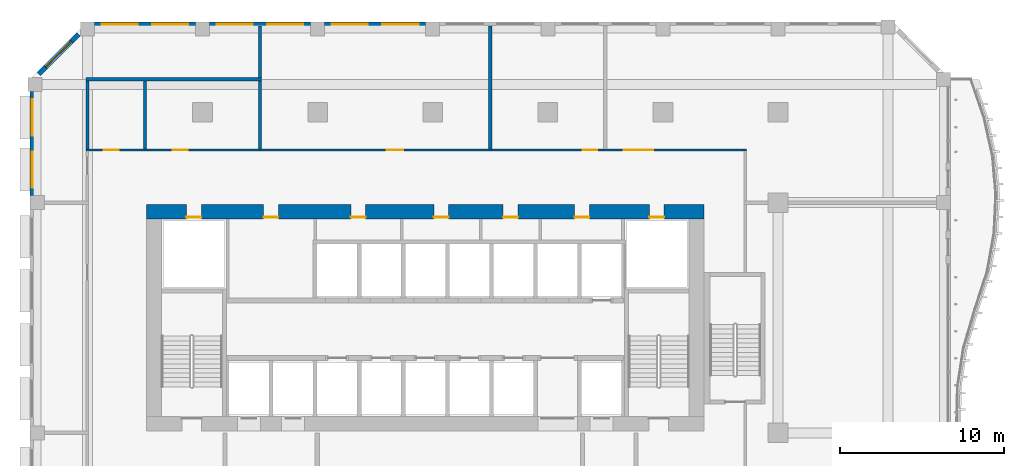
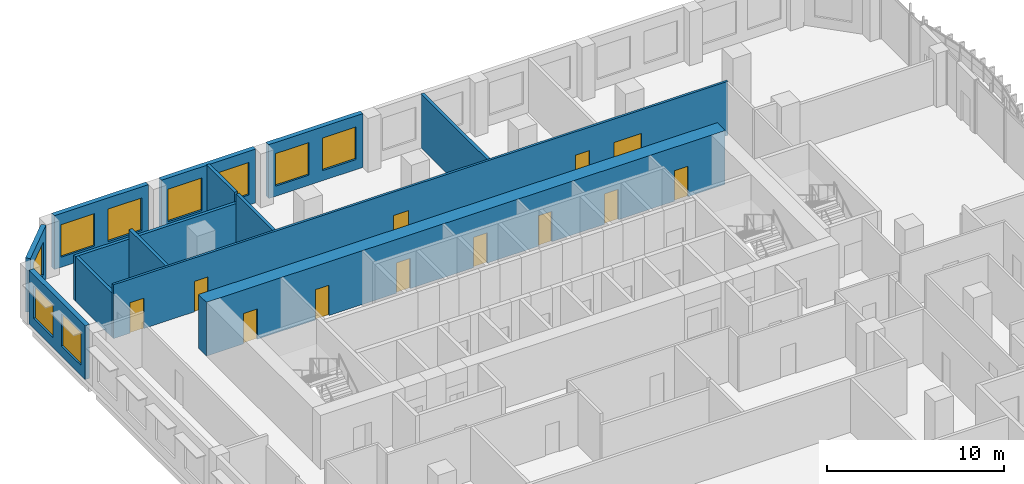
# One storey, part 14 of 25: 13 walls, 12 doors, 9 windows, 21 openings.
"""IFC4 building model written with IfcOpenShell, lengths in metres."""

from ifc_helpers import new_model, si_unit, direction, frame, frame_2d, origin, place, context, subcontext, project, spatial, rectangle, extrude, source, transform, mapped, material, layer, layer_set, type_object, element, fill, save


model = new_model("IFC4")

# Units and contexts
model_context = context("Model", 3, precision=1e-05, world=origin(), true_north=direction((0.0, 1.0)))
body_context = subcontext(model_context, "Body", "Model", "MODEL_VIEW")
ifc_project = project(units=[si_unit("LENGTHUNIT", "METRE"), si_unit("AREAUNIT", "SQUARE_METRE"), si_unit("VOLUMEUNIT", "CUBIC_METRE"), si_unit("PLANEANGLEUNIT", "RADIAN"), si_unit("MASSUNIT", "GRAM", prefix="KILO")], contexts=[model_context])

# Site, building, storey
site_placement = place(None, origin())
site = spatial("IfcSite", under=ifc_project, at=site_placement, CompositionType="ELEMENT")
building_placement = place(site_placement, origin())
building = spatial("IfcBuilding", under=site, at=building_placement, Name="Kilnfold Tower and Market Hall", CompositionType="ELEMENT")
storey_placement = place(building_placement, frame((0.0, 0.0, 120.60009765625)))
storey = spatial("IfcBuildingStorey", under=building, at=storey_placement, Name="L28", CompositionType="ELEMENT", Elevation=120.60009765625)

# Wall, openings, doors
ifc_material_1 = material(Name="Gypsum board on steel studs", Category="steel")
ifc_layer_1 = layer(ifc_material_1, 0.14990234375)
ifc_layer_set_1 = layer_set([ifc_layer_1], Name="Gypsum board on steel studs")
wall_type_1 = type_object("IfcWallType", Name="WALL CORRIDOR 150", PredefinedType="PARTITIONING", material=ifc_layer_set_1)
wall_1_placement = place(storey_placement, frame((-19.60009765625, 25.199951171875, 0.0), z_axis=(0.0, 0.0, 1.0), x_axis=(1.0, 0.0, 0.0)))
wall_1 = element("IfcWall", 1, at=wall_1_placement, inside=storey, type_object=wall_type_1, Name="Partition LY17.35", PredefinedType="PARTITIONING", context=body_context, shape_type="SweptSolid", body=[
    extrude(rectangle(XDim=40.175048828125, YDim=0.14990234375, at=frame_2d((20.08740234375, 0.0))), origin(), (0.0, 0.0, 1.0), 3.719970703125),
])
opening_1_placement = place(wall_1_placement, frame((1.10400390625, 0.0, 0.0)))
opening_1 = element("IfcOpeningElement", 2, at=opening_1_placement, cuts=wall_1, Name="Opening D2", PredefinedType="OPENING", context=body_context, shape_type="SweptSolid", body=[
    extrude(rectangle(XDim=0.89990234375, YDim=2.10009765625, at=frame_2d((0.449951171875, 1.050048828125))), frame((0.0, 0.0849609375, 0.0), z_axis=(0.0, -1.0, 0.0), x_axis=(1.0, 0.0, 0.0)), (0.0, 0.0, 1.0), 0.169921875),
])
opening_2_placement = place(wall_1_placement, frame((5.2958984375, 0.0, 0.0)))
opening_2 = element("IfcOpeningElement", 3, at=opening_2_placement, cuts=wall_1, Name="Opening D3", PredefinedType="OPENING", context=body_context, shape_type="SweptSolid", body=[
    extrude(rectangle(XDim=0.89990234375, YDim=2.10009765625, at=frame_2d((0.449951171875, 1.050048828125))), frame((0.0, 0.0849609375, 0.0), z_axis=(0.0, -1.0, 0.0), x_axis=(1.0, 0.0, 0.0)), (0.0, 0.0, 1.0), 0.169921875),
])
opening_3_placement = place(wall_1_placement, frame((18.302001953125, 0.0, 0.0)))
opening_3 = element("IfcOpeningElement", 4, at=opening_3_placement, cuts=wall_1, Name="Opening D1", PredefinedType="OPENING", context=body_context, shape_type="SweptSolid", body=[
    extrude(rectangle(XDim=1.0, YDim=2.10009765625, at=frame_2d((0.5, 1.050048828125))), frame((0.0, 0.0849609375, 0.0), z_axis=(0.0, -1.0, 0.0), x_axis=(1.0, 0.0, 0.0)), (0.0, 0.0, 1.0), 0.169921875),
])
opening_4_placement = place(wall_1_placement, frame((30.208984375, 0.0, 0.0)))
opening_4 = element("IfcOpeningElement", 5, at=opening_4_placement, cuts=wall_1, Name="Opening D2", PredefinedType="OPENING", context=body_context, shape_type="SweptSolid", body=[
    extrude(rectangle(XDim=0.89990234375, YDim=2.10009765625, at=frame_2d((0.449951171875, 1.050048828125))), frame((0.0, 0.0849609375, 0.0), z_axis=(0.0, -1.0, 0.0), x_axis=(1.0, 0.0, 0.0)), (0.0, 0.0, 1.0), 0.169921875),
])
opening_5_placement = place(wall_1_placement, frame((32.701904296875, 0.0, 0.0)))
opening_5 = element("IfcOpeningElement", 6, at=opening_5_placement, cuts=wall_1, Name="Opening D5", PredefinedType="OPENING", context=body_context, shape_type="SweptSolid", body=[
    extrude(rectangle(XDim=1.800048828125, YDim=2.10009765625, at=frame_2d((0.89990234375, 1.050048828125))), frame((0.0, 0.0849609375, 0.0), z_axis=(0.0, -1.0, 0.0), x_axis=(1.0, 0.0, 0.0)), (0.0, 0.0, 1.0), 0.169921875),
])
ifc_material_2 = material(Name="Timber veneer door leaf in steel frame", Category="steel")
door_type_1 = type_object("IfcDoorType", Name="DOOR DOUBLE 1800 X2100", OperationType="NOTDEFINED", PredefinedType="DOOR", material=ifc_material_2)
door_1_placement = place(opening_5_placement, origin())
door_1 = element("IfcDoor", 7, at=door_1_placement, inside=storey, type_object=door_type_1, Name="Door D5", OperationType="DOUBLE_DOOR_SINGLE_SWING", OverallHeight=2.10009765625, OverallWidth=1.800048828125, PredefinedType="DOOR", context=body_context, shape_type="SweptSolid", body=[
    extrude(rectangle(XDim=1.800048828125, YDim=2.10009765625, at=frame_2d((0.89990234375, 1.050048828125))), frame((0.0, 0.02490234375, 0.0), z_axis=(0.0, -1.0, 0.0), x_axis=(1.0, 0.0, 0.0)), (0.0, 0.0, 1.0), 0.050048828125),
])
fill(opening_5, door_1)
ifc_material_3 = material(Name="Timber veneer door leaf in steel frame", Category="steel")
door_type_2 = type_object("IfcDoorType", Name="DOOR ENTRY 1000 X2100", OperationType="NOTDEFINED", PredefinedType="DOOR", material=ifc_material_3)
door_2_placement = place(opening_3_placement, origin())
door_2 = element("IfcDoor", 8, at=door_2_placement, inside=storey, type_object=door_type_2, Name="Door D1", OperationType="SINGLE_SWING_RIGHT", OverallHeight=2.10009765625, OverallWidth=1.0, PredefinedType="DOOR", context=body_context, shape_type="SweptSolid", body=[
    extrude(rectangle(XDim=1.0, YDim=2.10009765625, at=frame_2d((0.5, 1.050048828125))), frame((0.0, 0.02490234375, 0.0), z_axis=(0.0, -1.0, 0.0), x_axis=(1.0, 0.0, 0.0)), (0.0, 0.0, 1.0), 0.050048828125),
])
fill(opening_3, door_2)
ifc_material_4 = material(Name="Timber veneer door leaf in steel frame", Category="steel")
door_type_3 = type_object("IfcDoorType", Name="DOOR ROOM 900 X2100", OperationType="NOTDEFINED", PredefinedType="DOOR", material=ifc_material_4)
door_3_placement = place(opening_1_placement, origin())
door_3 = element("IfcDoor", 9, at=door_3_placement, inside=storey, type_object=door_type_3, Name="Door D2", OperationType="SINGLE_SWING_LEFT", OverallHeight=2.10009765625, OverallWidth=0.89990234375, PredefinedType="DOOR", context=body_context, shape_type="SweptSolid", body=[
    extrude(rectangle(XDim=0.89990234375, YDim=2.10009765625, at=frame_2d((0.449951171875, 1.050048828125))), frame((0.0, 0.02490234375, 0.0), z_axis=(0.0, -1.0, 0.0), x_axis=(1.0, 0.0, 0.0)), (0.0, 0.0, 1.0), 0.050048828125),
])
fill(opening_1, door_3)
door_4_placement = place(opening_4_placement, origin())
door_4 = element("IfcDoor", 10, at=door_4_placement, inside=storey, type_object=door_type_3, Name="Door D2", OperationType="SINGLE_SWING_RIGHT", OverallHeight=2.10009765625, OverallWidth=0.89990234375, PredefinedType="DOOR", context=body_context, shape_type="SweptSolid", body=[
    extrude(rectangle(XDim=0.89990234375, YDim=2.10009765625, at=frame_2d((0.449951171875, 1.050048828125))), frame((0.0, 0.02490234375, 0.0), z_axis=(0.0, -1.0, 0.0), x_axis=(1.0, 0.0, 0.0)), (0.0, 0.0, 1.0), 0.050048828125),
])
fill(opening_4, door_4)
ifc_material_5 = material(Name="Timber veneer door leaf in steel frame", Category="steel")
door_type_4 = type_object("IfcDoorType", Name="DOOR WC 900 X2100", OperationType="NOTDEFINED", PredefinedType="DOOR", material=ifc_material_5)
door_5_placement = place(opening_2_placement, origin())
door_5 = element("IfcDoor", 11, at=door_5_placement, inside=storey, type_object=door_type_4, Name="Door D3", OperationType="SINGLE_SWING_LEFT", OverallHeight=2.10009765625, OverallWidth=0.89990234375, PredefinedType="DOOR", context=body_context, shape_type="SweptSolid", body=[
    extrude(rectangle(XDim=0.89990234375, YDim=2.10009765625, at=frame_2d((0.449951171875, 1.050048828125))), frame((0.0, 0.02490234375, 0.0), z_axis=(0.0, -1.0, 0.0), x_axis=(1.0, 0.0, 0.0)), (0.0, 0.0, 1.0), 0.050048828125),
])
fill(opening_2, door_5)

# Walls
ifc_material_6 = material(Name="Gypsum board on steel studs", Category="steel")
ifc_layer_2 = layer(ifc_material_6, 0.199951171875)
ifc_layer_set_2 = layer_set([ifc_layer_2], Name="Gypsum board on steel studs")
wall_type_2 = type_object("IfcWallType", Name="WALL PARTY 200", PredefinedType="PARTITIONING", material=ifc_layer_set_2)
wall_2_placement = place(storey_placement, frame((5.0, 25.27587890625, 0.0), z_axis=(0.0, 0.0, 1.0), x_axis=(0.0, 1.0, 0.0)))
element("IfcWall", 12, at=wall_2_placement, inside=storey, type_object=wall_type_2, Name="Partition LY17.69", PredefinedType="PARTITIONING", context=body_context, shape_type="SweptSolid", body=[
    extrude(rectangle(XDim=7.47412109375, YDim=0.199951171875, at=frame_2d((3.737060546875, 0.0))), origin(), (0.0, 0.0, 1.0), 3.719970703125),
])
wall_3_placement = place(storey_placement, frame((-9.0, 25.27587890625, 0.0), z_axis=(0.0, 0.0, 1.0), x_axis=(0.0, 1.0, 0.0)))
element("IfcWall", 13, at=wall_3_placement, inside=storey, type_object=wall_type_2, Name="Partition LY17.70", PredefinedType="PARTITIONING", context=body_context, shape_type="SweptSolid", body=[
    extrude(rectangle(XDim=4.134033203125, YDim=0.199951171875, at=frame_2d((2.06689453125, 0.0))), origin(), (0.0, 0.0, 1.0), 3.719970703125),
])
wall_4_placement = place(storey_placement, frame((-9.0, 29.590087890625, 0.0), z_axis=(0.0, 0.0, 1.0), x_axis=(0.0, 1.0, 0.0)))
element("IfcWall", 14, at=wall_4_placement, inside=storey, type_object=wall_type_2, Name="Partition LY17.71", PredefinedType="PARTITIONING", context=body_context, shape_type="SweptSolid", body=[
    extrude(rectangle(XDim=3.159912109375, YDim=0.199951171875, at=frame_2d((1.580078125, 0.0))), origin(), (0.0, 0.0, 1.0), 3.719970703125),
])
wall_5_placement = place(storey_placement, frame((-16.0, 29.39990234375, 0.0), z_axis=(0.0, 0.0, 1.0), x_axis=(0.0, -1.0, 0.0)))
element("IfcWall", 15, at=wall_5_placement, inside=storey, type_object=wall_type_2, Name="Partition LY17.72", PredefinedType="PARTITIONING", context=body_context, shape_type="SweptSolid", body=[
    extrude(rectangle(XDim=4.1240234375, YDim=0.199951171875, at=frame_2d((2.06201171875, 0.0))), origin(), (0.0, 0.0, 1.0), 3.719970703125),
])
wall_6_placement = place(storey_placement, frame((-19.60009765625, 29.5, 0.0), z_axis=(0.0, 0.0, 1.0), x_axis=(1.0, 0.0, 0.0)))
element("IfcWall", 16, at=wall_6_placement, inside=storey, type_object=wall_type_2, Name="Partition LY17.73", PredefinedType="PARTITIONING", context=body_context, shape_type="SweptSolid", body=[
    extrude(rectangle(XDim=10.7001953125, YDim=0.199951171875, at=frame_2d((5.35009765625, 0.0))), origin(), (0.0, 0.0, 1.0), 3.06982421875),
])
wall_7_placement = place(storey_placement, frame((-19.5, 29.39990234375, 0.0), z_axis=(0.0, 0.0, 1.0), x_axis=(0.0, -1.0, 0.0)))
element("IfcWall", 17, at=wall_7_placement, inside=storey, type_object=wall_type_2, Name="Partition LY17.74", PredefinedType="PARTITIONING", context=body_context, shape_type="SweptSolid", body=[
    extrude(rectangle(XDim=4.1240234375, YDim=0.199951171875, at=frame_2d((2.06201171875, 0.0))), origin(), (0.0, 0.0, 1.0), 3.06982421875),
])

# Wall, openings, doors
ifc_material_7 = material(Name="Concrete C70", Category="concrete")
ifc_layer_3 = layer(ifc_material_7, 0.89990234375)
ifc_layer_set_3 = layer_set([ifc_layer_3], Name="Concrete C70")
wall_type_3 = type_object("IfcWallType", Name="CORE WALL 900 C70", PredefinedType="SHEAR", material=ifc_layer_set_3)
shared_shape_1 = source(origin(), body_context, "Body", "SweptSolid", [
    extrude(rectangle(XDim=33.89990234375, YDim=0.89990234375, at=frame_2d((16.949951171875, 0.0))), origin(), (0.0, 0.0, 1.0), 3.719970703125),
])
wall_8_placement = place(storey_placement, frame((-15.89990234375, 21.449951171875, 0.0), z_axis=(0.0, 0.0, 1.0), x_axis=(1.0, 0.0, 0.0)))
wall_8 = element("IfcWall", 18, at=wall_8_placement, inside=storey, type_object=wall_type_3, Name="Core outer wall north", PredefinedType="SHEAR", context=body_context, shape_type="MappedRepresentation", body=[
    mapped(shared_shape_1, transform((0.0, 0.0, 0.0))),
])
opening_6_placement = place(wall_8_placement, frame((7.1201171875, 0.0, 0.0)))
opening_6 = element("IfcOpeningElement", 19, at=opening_6_placement, cuts=wall_8, Name="Opening KD1", PredefinedType="OPENING", context=body_context, shape_type="SweptSolid", body=[
    extrude(rectangle(XDim=0.89990234375, YDim=2.10009765625, at=frame_2d((0.449951171875, 1.050048828125))), frame((0.0, 0.4599609375, 0.0), z_axis=(0.0, -1.0, 0.0), x_axis=(1.0, 0.0, 0.0)), (0.0, 0.0, 1.0), 0.919921875),
])
opening_7_placement = place(wall_8_placement, frame((12.426513671875, 0.0, 0.0)))
opening_7 = element("IfcOpeningElement", 20, at=opening_7_placement, cuts=wall_8, Name="Opening KD1", PredefinedType="OPENING", context=body_context, shape_type="SweptSolid", body=[
    extrude(rectangle(XDim=0.89990234375, YDim=2.10009765625, at=frame_2d((0.449951171875, 1.050048828125))), frame((0.0, 0.4599609375, 0.0), z_axis=(0.0, -1.0, 0.0), x_axis=(1.0, 0.0, 0.0)), (0.0, 0.0, 1.0), 0.919921875),
])
opening_8_placement = place(wall_8_placement, frame((17.46484375, 0.0, 0.0)))
opening_8 = element("IfcOpeningElement", 21, at=opening_8_placement, cuts=wall_8, Name="Opening KD1", PredefinedType="OPENING", context=body_context, shape_type="SweptSolid", body=[
    extrude(rectangle(XDim=0.89990234375, YDim=2.10009765625, at=frame_2d((0.449951171875, 1.050048828125))), frame((0.0, 0.4599609375, 0.0), z_axis=(0.0, -1.0, 0.0), x_axis=(1.0, 0.0, 0.0)), (0.0, 0.0, 1.0), 0.919921875),
])
opening_9_placement = place(wall_8_placement, frame((21.685791015625, 0.0, 0.0)))
opening_9 = element("IfcOpeningElement", 22, at=opening_9_placement, cuts=wall_8, Name="Opening KD1", PredefinedType="OPENING", context=body_context, shape_type="SweptSolid", body=[
    extrude(rectangle(XDim=0.89990234375, YDim=2.10009765625, at=frame_2d((0.449951171875, 1.050048828125))), frame((0.0, 0.4599609375, 0.0), z_axis=(0.0, -1.0, 0.0), x_axis=(1.0, 0.0, 0.0)), (0.0, 0.0, 1.0), 0.919921875),
])
opening_10_placement = place(wall_8_placement, frame((26.02734375, 0.0, 0.0)))
opening_10 = element("IfcOpeningElement", 23, at=opening_10_placement, cuts=wall_8, Name="Opening KD1", PredefinedType="OPENING", context=body_context, shape_type="SweptSolid", body=[
    extrude(rectangle(XDim=0.89990234375, YDim=2.10009765625, at=frame_2d((0.449951171875, 1.050048828125))), frame((0.0, 0.4599609375, 0.0), z_axis=(0.0, -1.0, 0.0), x_axis=(1.0, 0.0, 0.0)), (0.0, 0.0, 1.0), 0.919921875),
])
opening_11_placement = place(wall_8_placement, frame((2.425048828125, 0.0, 0.0)))
opening_11 = element("IfcOpeningElement", 24, at=opening_11_placement, cuts=wall_8, Name="Opening KD1", PredefinedType="OPENING", context=body_context, shape_type="SweptSolid", body=[
    extrude(rectangle(XDim=0.89990234375, YDim=2.10009765625, at=frame_2d((0.449951171875, 1.050048828125))), frame((0.0, 0.4599609375, 0.0), z_axis=(0.0, -1.0, 0.0), x_axis=(1.0, 0.0, 0.0)), (0.0, 0.0, 1.0), 0.919921875),
])
opening_12_placement = place(wall_8_placement, frame((30.574951171875, 0.0, 0.0)))
opening_12 = element("IfcOpeningElement", 25, at=opening_12_placement, cuts=wall_8, Name="Opening KD1", PredefinedType="OPENING", context=body_context, shape_type="SweptSolid", body=[
    extrude(rectangle(XDim=0.89990234375, YDim=2.10009765625, at=frame_2d((0.449951171875, 1.050048828125))), frame((0.0, 0.4599609375, 0.0), z_axis=(0.0, -1.0, 0.0), x_axis=(1.0, 0.0, 0.0)), (0.0, 0.0, 1.0), 0.919921875),
])
ifc_material_8 = material(Name="Steel door set with fire-resisting leaf", Category="steel")
door_type_5 = type_object("IfcDoorType", Name="SERVICE DOOR 900X2100", OperationType="NOTDEFINED", PredefinedType="DOOR", material=ifc_material_8)
door_6_placement = place(opening_6_placement, origin())
door_6 = element("IfcDoor", 26, at=door_6_placement, inside=storey, type_object=door_type_5, Name="Core service door", OperationType="SINGLE_SWING_RIGHT", OverallHeight=2.10009765625, OverallWidth=0.89990234375, PredefinedType="DOOR", context=body_context, shape_type="SweptSolid", body=[
    extrude(rectangle(XDim=0.89990234375, YDim=2.10009765625, at=frame_2d((0.449951171875, 1.050048828125))), frame((0.0, -0.30517578125, 0.0), z_axis=(0.0, -1.0, 0.0), x_axis=(1.0, 0.0, 0.0)), (0.0, 0.0, 1.0), 0.050048828125),
])
fill(opening_6, door_6)
door_7_placement = place(opening_7_placement, origin())
door_7 = element("IfcDoor", 27, at=door_7_placement, inside=storey, type_object=door_type_5, Name="Core service door", OperationType="SINGLE_SWING_LEFT", OverallHeight=2.10009765625, OverallWidth=0.89990234375, PredefinedType="DOOR", context=body_context, shape_type="SweptSolid", body=[
    extrude(rectangle(XDim=0.89990234375, YDim=2.10009765625, at=frame_2d((0.449951171875, 1.050048828125))), frame((0.0, -0.30517578125, 0.0), z_axis=(0.0, -1.0, 0.0), x_axis=(1.0, 0.0, 0.0)), (0.0, 0.0, 1.0), 0.050048828125),
])
fill(opening_7, door_7)
door_8_placement = place(opening_8_placement, origin())
door_8 = element("IfcDoor", 28, at=door_8_placement, inside=storey, type_object=door_type_5, Name="Core service door", OperationType="SINGLE_SWING_RIGHT", OverallHeight=2.10009765625, OverallWidth=0.89990234375, PredefinedType="DOOR", context=body_context, shape_type="SweptSolid", body=[
    extrude(rectangle(XDim=0.89990234375, YDim=2.10009765625, at=frame_2d((0.449951171875, 1.050048828125))), frame((0.0, -0.30517578125, 0.0), z_axis=(0.0, -1.0, 0.0), x_axis=(1.0, 0.0, 0.0)), (0.0, 0.0, 1.0), 0.050048828125),
])
fill(opening_8, door_8)
door_9_placement = place(opening_9_placement, origin())
door_9 = element("IfcDoor", 29, at=door_9_placement, inside=storey, type_object=door_type_5, Name="Core service door", OperationType="SINGLE_SWING_LEFT", OverallHeight=2.10009765625, OverallWidth=0.89990234375, PredefinedType="DOOR", context=body_context, shape_type="SweptSolid", body=[
    extrude(rectangle(XDim=0.89990234375, YDim=2.10009765625, at=frame_2d((0.449951171875, 1.050048828125))), frame((0.0, -0.30517578125, 0.0), z_axis=(0.0, -1.0, 0.0), x_axis=(1.0, 0.0, 0.0)), (0.0, 0.0, 1.0), 0.050048828125),
])
fill(opening_9, door_9)
door_10_placement = place(opening_10_placement, origin())
door_10 = element("IfcDoor", 30, at=door_10_placement, inside=storey, type_object=door_type_5, Name="Core service door", OperationType="SINGLE_SWING_RIGHT", OverallHeight=2.10009765625, OverallWidth=0.89990234375, PredefinedType="DOOR", context=body_context, shape_type="SweptSolid", body=[
    extrude(rectangle(XDim=0.89990234375, YDim=2.10009765625, at=frame_2d((0.449951171875, 1.050048828125))), frame((0.0, -0.30517578125, 0.0), z_axis=(0.0, -1.0, 0.0), x_axis=(1.0, 0.0, 0.0)), (0.0, 0.0, 1.0), 0.050048828125),
])
fill(opening_10, door_10)
door_11_placement = place(opening_11_placement, origin())
door_11 = element("IfcDoor", 31, at=door_11_placement, inside=storey, type_object=door_type_5, Name="Electrical riser access door", OperationType="SINGLE_SWING_LEFT", OverallHeight=2.10009765625, OverallWidth=0.89990234375, PredefinedType="DOOR", context=body_context, shape_type="SweptSolid", body=[
    extrude(rectangle(XDim=0.89990234375, YDim=2.10009765625, at=frame_2d((0.449951171875, 1.050048828125))), frame((0.0, -0.30517578125, 0.0), z_axis=(0.0, -1.0, 0.0), x_axis=(1.0, 0.0, 0.0)), (0.0, 0.0, 1.0), 0.050048828125),
])
fill(opening_11, door_11)
door_12_placement = place(opening_12_placement, origin())
door_12 = element("IfcDoor", 32, at=door_12_placement, inside=storey, type_object=door_type_5, Name="Mechanical riser access door", OperationType="SINGLE_SWING_RIGHT", OverallHeight=2.10009765625, OverallWidth=0.89990234375, PredefinedType="DOOR", context=body_context, shape_type="SweptSolid", body=[
    extrude(rectangle(XDim=0.89990234375, YDim=2.10009765625, at=frame_2d((0.449951171875, 1.050048828125))), frame((0.0, -0.30517578125, 0.0), z_axis=(0.0, -1.0, 0.0), x_axis=(1.0, 0.0, 0.0)), (0.0, 0.0, 1.0), 0.050048828125),
])
fill(opening_12, door_12)

# Wall, opening, window
ifc_material_9 = material(Name="Precast concrete C50/60", Category="concrete")
ifc_layer_4 = layer(ifc_material_9, 0.300048828125)
ifc_layer_set_4 = layer_set([ifc_layer_4], Name="Precast concrete C50/60")
wall_type_4 = type_object("IfcWallType", Name="PRECAST WALL 300", PredefinedType="SOLIDWALL", material=ifc_layer_set_4)
shared_shape_2 = source(origin(), body_context, "Body", "SweptSolid", [
    extrude(rectangle(XDim=3.429443359375, YDim=0.300048828125, at=frame_2d((1.71484375, 0.0))), origin(), (0.0, 0.0, 1.0), 3.719970703125),
])
wall_9_placement = place(storey_placement, frame((-20.0439453125, 32.243896484375, 0.0), z_axis=(0.0, 0.0, 1.0), x_axis=(-0.707106781187, -0.707106781187, 0.0)))
wall_9 = element("IfcWall", 33, at=wall_9_placement, inside=storey, type_object=wall_type_4, Name="External wall L28 NW", PredefinedType="SOLIDWALL", context=body_context, shape_type="MappedRepresentation", body=[
    mapped(shared_shape_2, transform((0.0, 0.0, 0.0))),
])
opening_13_placement = place(wall_9_placement, frame((0.61474609375, 0.0, 0.699951171875)))
opening_13 = element("IfcOpeningElement", 34, at=opening_13_placement, cuts=wall_9, Name="Opening W1", PredefinedType="OPENING", context=body_context, shape_type="SweptSolid", body=[
    extrude(rectangle(XDim=2.199951171875, YDim=2.25, at=frame_2d((1.10009765625, 1.125))), frame((0.0, 0.16015625, 0.0), z_axis=(0.0, -1.0, 0.0), x_axis=(1.0, 0.0, 0.0)), (0.0, 0.0, 1.0), 0.320068359375),
])
ifc_material_10 = material(Name="Aluminium frame and double glazing", Category="aluminium")
window_type = type_object("IfcWindowType", Name="WINDOW W1 2200X2250", PartitioningType="SINGLE_PANEL", PredefinedType="WINDOW", material=ifc_material_10)
window_1_placement = place(opening_13_placement, origin())
window_1 = element("IfcWindow", 35, at=window_1_placement, inside=storey, type_object=window_type, Name="Window W1 L28 NW-1", OverallHeight=2.25, OverallWidth=2.199951171875, PartitioningType="SINGLE_PANEL", PredefinedType="WINDOW", context=body_context, shape_type="SweptSolid", body=[
    extrude(rectangle(XDim=2.199951171875, YDim=2.25, at=frame_2d((1.10009765625, 1.125))), frame((0.0, 0.030029296875, 0.0), z_axis=(0.0, -1.0, 0.0), x_axis=(1.0, 0.0, 0.0)), (0.0, 0.0, 1.0), 0.06005859375),
])
fill(opening_13, window_1)

# Wall, openings, windows
shared_shape_3 = source(origin(), body_context, "Body", "SweptSolid", [
    extrude(rectangle(XDim=6.14990234375, YDim=0.300048828125, at=frame_2d((3.074951171875, 0.0))), origin(), (0.0, 0.0, 1.0), 3.719970703125),
])
wall_10_placement = place(storey_placement, frame((1.074951171875, 32.85009765625, 0.0), z_axis=(0.0, 0.0, 1.0), x_axis=(-1.0, 0.0, 0.0)))
wall_10 = element("IfcWall", 36, at=wall_10_placement, inside=storey, type_object=wall_type_4, Name="External wall L28 N", PredefinedType="SOLIDWALL", context=body_context, shape_type="MappedRepresentation", body=[
    mapped(shared_shape_3, transform((0.0, 0.0, 0.0))),
])
opening_14_placement = place(wall_10_placement, frame((0.4375, 0.0, 0.699951171875)))
opening_14 = element("IfcOpeningElement", 37, at=opening_14_placement, cuts=wall_10, Name="Opening W1", PredefinedType="OPENING", context=body_context, shape_type="SweptSolid", body=[
    extrude(rectangle(XDim=2.199951171875, YDim=2.25, at=frame_2d((1.10009765625, 1.125))), frame((0.0, 0.16015625, 0.0), z_axis=(0.0, -1.0, 0.0), x_axis=(1.0, 0.0, 0.0)), (0.0, 0.0, 1.0), 0.320068359375),
])
opening_15_placement = place(wall_10_placement, frame((3.512451171875, 0.0, 0.699951171875)))
opening_15 = element("IfcOpeningElement", 38, at=opening_15_placement, cuts=wall_10, Name="Opening W1", PredefinedType="OPENING", context=body_context, shape_type="SweptSolid", body=[
    extrude(rectangle(XDim=2.199951171875, YDim=2.25, at=frame_2d((1.10009765625, 1.125))), frame((0.0, 0.16015625, 0.0), z_axis=(0.0, -1.0, 0.0), x_axis=(1.0, 0.0, 0.0)), (0.0, 0.0, 1.0), 0.320068359375),
])
window_2_placement = place(opening_14_placement, origin())
window_2 = element("IfcWindow", 39, at=window_2_placement, inside=storey, type_object=window_type, Name="Window W1 L28 N-1", OverallHeight=2.25, OverallWidth=2.199951171875, PartitioningType="SINGLE_PANEL", PredefinedType="WINDOW", context=body_context, shape_type="SweptSolid", body=[
    extrude(rectangle(XDim=2.199951171875, YDim=2.25, at=frame_2d((1.10009765625, 1.125))), frame((0.0, 0.030029296875, 0.0), z_axis=(0.0, -1.0, 0.0), x_axis=(1.0, 0.0, 0.0)), (0.0, 0.0, 1.0), 0.06005859375),
])
fill(opening_14, window_2)
window_3_placement = place(opening_15_placement, origin())
window_3 = element("IfcWindow", 40, at=window_3_placement, inside=storey, type_object=window_type, Name="Window W1 L28 N-2", OverallHeight=2.25, OverallWidth=2.199951171875, PartitioningType="SINGLE_PANEL", PredefinedType="WINDOW", context=body_context, shape_type="SweptSolid", body=[
    extrude(rectangle(XDim=2.199951171875, YDim=2.25, at=frame_2d((1.10009765625, 1.125))), frame((0.0, 0.030029296875, 0.0), z_axis=(0.0, -1.0, 0.0), x_axis=(1.0, 0.0, 0.0)), (0.0, 0.0, 1.0), 0.06005859375),
])
fill(opening_15, window_3)

wall_11_placement = place(storey_placement, frame((-5.925048828125, 32.85009765625, 0.0), z_axis=(0.0, 0.0, 1.0), x_axis=(-1.0, 0.0, 0.0)))
wall_11 = element("IfcWall", 41, at=wall_11_placement, inside=storey, type_object=wall_type_4, Name="External wall L28 N", PredefinedType="SOLIDWALL", context=body_context, shape_type="MappedRepresentation", body=[
    mapped(shared_shape_3, transform((0.0, 0.0, 0.0))),
])
opening_16_placement = place(wall_11_placement, frame((0.4375, 0.0, 0.699951171875)))
opening_16 = element("IfcOpeningElement", 42, at=opening_16_placement, cuts=wall_11, Name="Opening W1", PredefinedType="OPENING", context=body_context, shape_type="SweptSolid", body=[
    extrude(rectangle(XDim=2.199951171875, YDim=2.25, at=frame_2d((1.10009765625, 1.125))), frame((0.0, 0.16015625, 0.0), z_axis=(0.0, -1.0, 0.0), x_axis=(1.0, 0.0, 0.0)), (0.0, 0.0, 1.0), 0.320068359375),
])
opening_17_placement = place(wall_11_placement, frame((3.512451171875, 0.0, 0.699951171875)))
opening_17 = element("IfcOpeningElement", 43, at=opening_17_placement, cuts=wall_11, Name="Opening W1", PredefinedType="OPENING", context=body_context, shape_type="SweptSolid", body=[
    extrude(rectangle(XDim=2.199951171875, YDim=2.25, at=frame_2d((1.10009765625, 1.125))), frame((0.0, 0.16015625, 0.0), z_axis=(0.0, -1.0, 0.0), x_axis=(1.0, 0.0, 0.0)), (0.0, 0.0, 1.0), 0.320068359375),
])
window_4_placement = place(opening_16_placement, origin())
window_4 = element("IfcWindow", 44, at=window_4_placement, inside=storey, type_object=window_type, Name="Window W1 L28 N-1", OverallHeight=2.25, OverallWidth=2.199951171875, PartitioningType="SINGLE_PANEL", PredefinedType="WINDOW", context=body_context, shape_type="SweptSolid", body=[
    extrude(rectangle(XDim=2.199951171875, YDim=2.25, at=frame_2d((1.10009765625, 1.125))), frame((0.0, 0.030029296875, 0.0), z_axis=(0.0, -1.0, 0.0), x_axis=(1.0, 0.0, 0.0)), (0.0, 0.0, 1.0), 0.06005859375),
])
fill(opening_16, window_4)
window_5_placement = place(opening_17_placement, origin())
window_5 = element("IfcWindow", 45, at=window_5_placement, inside=storey, type_object=window_type, Name="Window W1 L28 N-2", OverallHeight=2.25, OverallWidth=2.199951171875, PartitioningType="SINGLE_PANEL", PredefinedType="WINDOW", context=body_context, shape_type="SweptSolid", body=[
    extrude(rectangle(XDim=2.199951171875, YDim=2.25, at=frame_2d((1.10009765625, 1.125))), frame((0.0, 0.030029296875, 0.0), z_axis=(0.0, -1.0, 0.0), x_axis=(1.0, 0.0, 0.0)), (0.0, 0.0, 1.0), 0.06005859375),
])
fill(opening_17, window_5)

wall_12_placement = place(storey_placement, frame((-12.925048828125, 32.85009765625, 0.0), z_axis=(0.0, 0.0, 1.0), x_axis=(-1.0, 0.0, 0.0)))
wall_12 = element("IfcWall", 46, at=wall_12_placement, inside=storey, type_object=wall_type_4, Name="External wall L28 N", PredefinedType="SOLIDWALL", context=body_context, shape_type="MappedRepresentation", body=[
    mapped(shared_shape_3, transform((0.0, 0.0, 0.0))),
])
opening_18_placement = place(wall_12_placement, frame((0.4375, 0.0, 0.699951171875)))
opening_18 = element("IfcOpeningElement", 47, at=opening_18_placement, cuts=wall_12, Name="Opening W1", PredefinedType="OPENING", context=body_context, shape_type="SweptSolid", body=[
    extrude(rectangle(XDim=2.199951171875, YDim=2.25, at=frame_2d((1.10009765625, 1.125))), frame((0.0, 0.16015625, 0.0), z_axis=(0.0, -1.0, 0.0), x_axis=(1.0, 0.0, 0.0)), (0.0, 0.0, 1.0), 0.320068359375),
])
opening_19_placement = place(wall_12_placement, frame((3.512451171875, 0.0, 0.699951171875)))
opening_19 = element("IfcOpeningElement", 48, at=opening_19_placement, cuts=wall_12, Name="Opening W1", PredefinedType="OPENING", context=body_context, shape_type="SweptSolid", body=[
    extrude(rectangle(XDim=2.199951171875, YDim=2.25, at=frame_2d((1.10009765625, 1.125))), frame((0.0, 0.16015625, 0.0), z_axis=(0.0, -1.0, 0.0), x_axis=(1.0, 0.0, 0.0)), (0.0, 0.0, 1.0), 0.320068359375),
])
window_6_placement = place(opening_18_placement, origin())
window_6 = element("IfcWindow", 49, at=window_6_placement, inside=storey, type_object=window_type, Name="Window W1 L28 N-1", OverallHeight=2.25, OverallWidth=2.199951171875, PartitioningType="SINGLE_PANEL", PredefinedType="WINDOW", context=body_context, shape_type="SweptSolid", body=[
    extrude(rectangle(XDim=2.199951171875, YDim=2.25, at=frame_2d((1.10009765625, 1.125))), frame((0.0, 0.030029296875, 0.0), z_axis=(0.0, -1.0, 0.0), x_axis=(1.0, 0.0, 0.0)), (0.0, 0.0, 1.0), 0.06005859375),
])
fill(opening_18, window_6)
window_7_placement = place(opening_19_placement, origin())
window_7 = element("IfcWindow", 50, at=window_7_placement, inside=storey, type_object=window_type, Name="Window W1 L28 N-2", OverallHeight=2.25, OverallWidth=2.199951171875, PartitioningType="SINGLE_PANEL", PredefinedType="WINDOW", context=body_context, shape_type="SweptSolid", body=[
    extrude(rectangle(XDim=2.199951171875, YDim=2.25, at=frame_2d((1.10009765625, 1.125))), frame((0.0, 0.030029296875, 0.0), z_axis=(0.0, -1.0, 0.0), x_axis=(1.0, 0.0, 0.0)), (0.0, 0.0, 1.0), 0.06005859375),
])
fill(opening_19, window_7)

shared_shape_4 = source(origin(), body_context, "Body", "SweptSolid", [
    extrude(rectangle(XDim=6.331787109375, YDim=0.300048828125, at=frame_2d((3.166015625, 0.0))), origin(), (0.0, 0.0, 1.0), 3.719970703125),
])
wall_13_placement = place(storey_placement, frame((-22.85009765625, 28.7568359375, 0.0), z_axis=(0.0, 0.0, 1.0), x_axis=(0.0, -1.0, 0.0)))
wall_13 = element("IfcWall", 51, at=wall_13_placement, inside=storey, type_object=wall_type_4, Name="External wall L28 W", PredefinedType="SOLIDWALL", context=body_context, shape_type="MappedRepresentation", body=[
    mapped(shared_shape_4, transform((0.0, 0.0, 0.0))),
])
opening_20_placement = place(wall_13_placement, frame((0.48291015625, 0.0, 0.699951171875)))
opening_20 = element("IfcOpeningElement", 52, at=opening_20_placement, cuts=wall_13, Name="Opening W1", PredefinedType="OPENING", context=body_context, shape_type="SweptSolid", body=[
    extrude(rectangle(XDim=2.199951171875, YDim=2.25, at=frame_2d((1.10009765625, 1.125))), frame((0.0, 0.16015625, 0.0), z_axis=(0.0, -1.0, 0.0), x_axis=(1.0, 0.0, 0.0)), (0.0, 0.0, 1.0), 0.320068359375),
])
opening_21_placement = place(wall_13_placement, frame((3.648681640625, 0.0, 0.699951171875)))
opening_21 = element("IfcOpeningElement", 53, at=opening_21_placement, cuts=wall_13, Name="Opening W1", PredefinedType="OPENING", context=body_context, shape_type="SweptSolid", body=[
    extrude(rectangle(XDim=2.199951171875, YDim=2.25, at=frame_2d((1.10009765625, 1.125))), frame((0.0, 0.16015625, 0.0), z_axis=(0.0, -1.0, 0.0), x_axis=(1.0, 0.0, 0.0)), (0.0, 0.0, 1.0), 0.320068359375),
])
window_8_placement = place(opening_20_placement, origin())
window_8 = element("IfcWindow", 54, at=window_8_placement, inside=storey, type_object=window_type, Name="Window W1 L28 W-1", OverallHeight=2.25, OverallWidth=2.199951171875, PartitioningType="SINGLE_PANEL", PredefinedType="WINDOW", context=body_context, shape_type="SweptSolid", body=[
    extrude(rectangle(XDim=2.199951171875, YDim=2.25, at=frame_2d((1.10009765625, 1.125))), frame((0.0, 0.030029296875, 0.0), z_axis=(0.0, -1.0, 0.0), x_axis=(1.0, 0.0, 0.0)), (0.0, 0.0, 1.0), 0.06005859375),
])
fill(opening_20, window_8)
window_9_placement = place(opening_21_placement, origin())
window_9 = element("IfcWindow", 55, at=window_9_placement, inside=storey, type_object=window_type, Name="Window W1 L28 W-2", OverallHeight=2.25, OverallWidth=2.199951171875, PartitioningType="SINGLE_PANEL", PredefinedType="WINDOW", context=body_context, shape_type="SweptSolid", body=[
    extrude(rectangle(XDim=2.199951171875, YDim=2.25, at=frame_2d((1.10009765625, 1.125))), frame((0.0, 0.030029296875, 0.0), z_axis=(0.0, -1.0, 0.0), x_axis=(1.0, 0.0, 0.0)), (0.0, 0.0, 1.0), 0.06005859375),
])
fill(opening_21, window_9)

save(model, "model.ifc")
